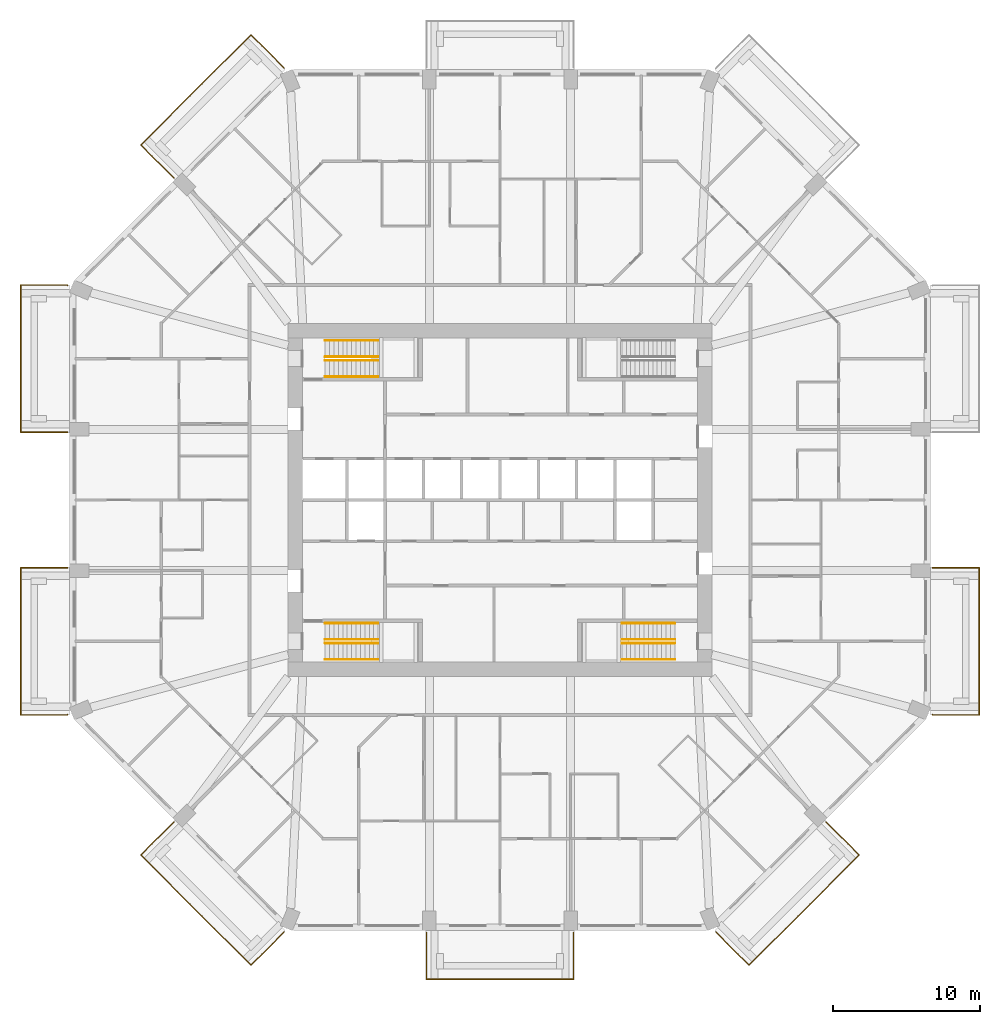
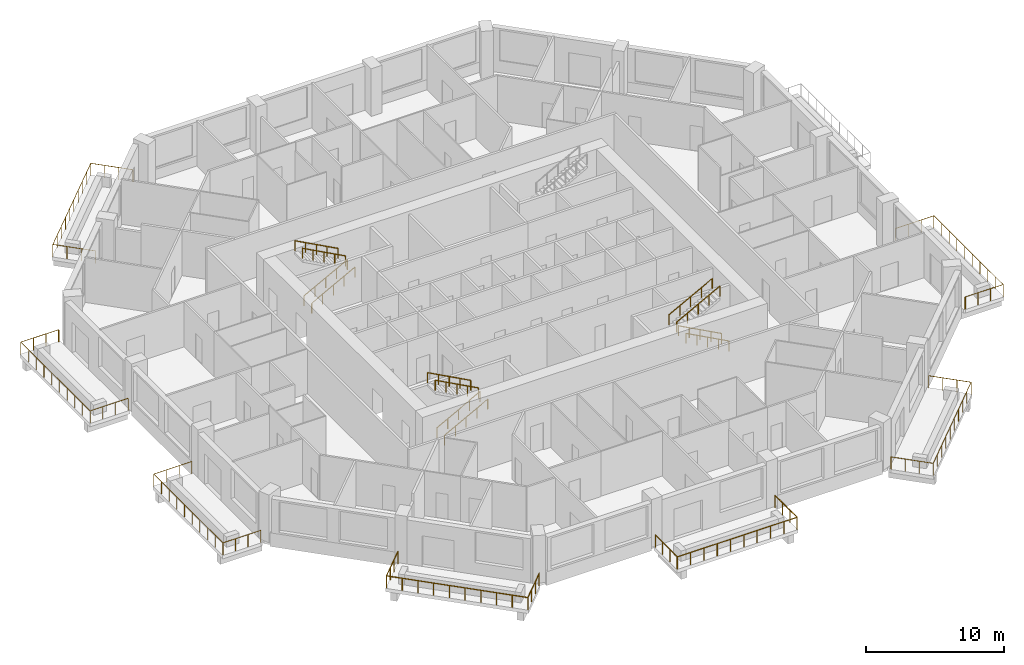
# One storey, part 12 of 13: 19 railings.
"""IFC4 building model written with IfcOpenShell, lengths in metres."""

from ifc_helpers import new_model, si_unit, direction, frame, origin, origin_2d, place, context, subcontext, project, spatial, circle, extrude, material, constituent, constituent_set, type_object, element, save


model = new_model("IFC4")

# Units and contexts
model_context = context("Model", 3, precision=1e-05, world=origin(), true_north=direction((0.0, 1.0)))
body_context = subcontext(model_context, "Body", "Model", "MODEL_VIEW")
ifc_project = project(units=[si_unit("LENGTHUNIT", "METRE"), si_unit("AREAUNIT", "SQUARE_METRE"), si_unit("VOLUMEUNIT", "CUBIC_METRE"), si_unit("PLANEANGLEUNIT", "RADIAN"), si_unit("MASSUNIT", "GRAM", prefix="KILO")], contexts=[model_context])

# Site, building, storey
site_placement = place(None, origin())
site = spatial("IfcSite", under=ifc_project, at=site_placement, CompositionType="ELEMENT")
building_placement = place(site_placement, origin())
building = spatial("IfcBuilding", under=site, at=building_placement, Name="Msitu Wima Residences", CompositionType="ELEMENT")
storey_placement = place(building_placement, frame((0.0, 0.0, 25.5)))
storey = spatial("IfcBuildingStorey", under=building, at=storey_placement, Name="L05", CompositionType="ELEMENT", Elevation=25.5)

# Railings
ifc_material_1 = material(Name="Steel S355", Category="steel")
ifc_constituent_1 = constituent(ifc_material_1, Name="Steel S355")
ifc_material_2 = material(Name="Weathering patina")
ifc_constituent_2 = constituent(ifc_material_2, Name="Weathering patina")
ifc_constituent_set_1 = constituent_set(constituents=[ifc_constituent_1, ifc_constituent_2], Name="Steel S355")
railing_type_1 = type_object("IfcRailingType", Name="Balcony guard GR1100", PredefinedType="GUARDRAIL", material=ifc_constituent_set_1)
railing_1_placement = place(storey_placement, frame((29.3798828125, -4.60009765625, 0.0)))
element("IfcRailing", 1, at=railing_1_placement, inside=storey, type_object=railing_type_1, Name="Balcony guard E0 L05", PredefinedType="GUARDRAIL", context=body_context, shape_type="SweptSolid", body=[
    extrude(circle(Radius=0.02392578125, at=origin_2d()), frame((0.0, 0.0, 1.076171875), z_axis=(1.0, 0.0, 0.0), x_axis=(0.0, 1.0, 0.0)), (0.0, 0.0, 1.0), 3.170166015625),
    extrude(circle(Radius=0.02392578125, at=origin_2d()), frame((3.170166015625, 0.0, 1.076171875), z_axis=(0.0, -1.0, 0.0), x_axis=(1.0, 0.0, 0.0)), (0.0, 0.0, 1.0), 10.0),
    extrude(circle(Radius=0.02392578125, at=origin_2d()), frame((3.170166015625, -10.0, 1.076171875), z_axis=(-1.0, 0.0, 0.0), x_axis=(0.0, -1.0, 0.0)), (0.0, 0.0, 1.0), 3.136474609375),
    extrude(circle(Radius=0.02392578125, at=origin_2d()), frame((0.03369140625, -10.0, 1.076171875), z_axis=(-0.92426142649, 0.38176015442, 0.0), x_axis=(-0.38176015442, -0.92426142649, 0.0)), (0.0, 0.0, 1.0), 0.036376953125),
    extrude(circle(Radius=0.02099609375, at=origin_2d()), origin(), (0.0, 0.0, 1.0), 1.052001953125),
    extrude(circle(Radius=0.02099609375, at=origin_2d()), frame((1.056640625, 0.0, 0.0)), (0.0, 0.0, 1.0), 1.052001953125),
    extrude(circle(Radius=0.02099609375, at=origin_2d()), frame((2.113525390625, 0.0, 0.0)), (0.0, 0.0, 1.0), 1.052001953125),
    extrude(circle(Radius=0.02099609375, at=origin_2d()), frame((3.170166015625, 0.0, 0.0)), (0.0, 0.0, 1.0), 1.052001953125),
    extrude(circle(Radius=0.02099609375, at=origin_2d()), frame((3.170166015625, -1.111083984375, 0.0)), (0.0, 0.0, 1.0), 1.052001953125),
    extrude(circle(Radius=0.02099609375, at=origin_2d()), frame((3.170166015625, -2.22216796875, 0.0)), (0.0, 0.0, 1.0), 1.052001953125),
    extrude(circle(Radius=0.02099609375, at=origin_2d()), frame((3.170166015625, -3.333251953125, 0.0)), (0.0, 0.0, 1.0), 1.052001953125),
    extrude(circle(Radius=0.02099609375, at=origin_2d()), frame((3.170166015625, -4.4443359375, 0.0)), (0.0, 0.0, 1.0), 1.052001953125),
    extrude(circle(Radius=0.02099609375, at=origin_2d()), frame((3.170166015625, -5.5556640625, 0.0)), (0.0, 0.0, 1.0), 1.052001953125),
    extrude(circle(Radius=0.02099609375, at=origin_2d()), frame((3.170166015625, -6.666748046875, 0.0)), (0.0, 0.0, 1.0), 1.052001953125),
    extrude(circle(Radius=0.02099609375, at=origin_2d()), frame((3.170166015625, -7.77783203125, 0.0)), (0.0, 0.0, 1.0), 1.052001953125),
    extrude(circle(Radius=0.02099609375, at=origin_2d()), frame((3.170166015625, -8.888916015625, 0.0)), (0.0, 0.0, 1.0), 1.052001953125),
    extrude(circle(Radius=0.02099609375, at=origin_2d()), frame((3.170166015625, -10.0, 0.0)), (0.0, 0.0, 1.0), 1.052001953125),
    extrude(circle(Radius=0.02099609375, at=origin_2d()), frame((2.124755859375, -10.0, 0.0)), (0.0, 0.0, 1.0), 1.052001953125),
    extrude(circle(Radius=0.02099609375, at=origin_2d()), frame((1.0791015625, -10.0, 0.0)), (0.0, 0.0, 1.0), 1.052001953125),
    extrude(circle(Radius=0.02099609375, at=origin_2d()), frame((0.03369140625, -10.0, 0.0)), (0.0, 0.0, 1.0), 1.052001953125),
    extrude(circle(Radius=0.02099609375, at=origin_2d()), frame((0.0, -9.986083984375, 0.0)), (0.0, 0.0, 1.0), 1.052001953125),
])
railing_2_placement = place(storey_placement, frame((-22.151611328125, 21.86865234375, 0.0)))
element("IfcRailing", 2, at=railing_2_placement, inside=storey, type_object=railing_type_1, Name="Balcony guard NW0 L05", PredefinedType="GUARDRAIL", context=body_context, shape_type="SweptSolid", body=[
    extrude(circle(Radius=0.02392578125, at=origin_2d()), frame((0.0, 0.0, 1.076171875), z_axis=(-0.707068272989, 0.707145287287, 0.0), x_axis=(-0.707145287287, -0.707068272989, 0.0)), (0.0, 0.0, 1.0), 3.170166015625),
    extrude(circle(Radius=0.02392578125, at=origin_2d()), frame((-2.241455078125, 2.24169921875, 1.076171875), z_axis=(0.707118316465, 0.70709524572, 0.0), x_axis=(-0.70709524572, 0.707118316465, 0.0)), (0.0, 0.0, 1.0), 10.582275390625),
    extrude(circle(Radius=0.02392578125, at=origin_2d()), frame((5.241455078125, 9.724365234375, 1.076171875), z_axis=(0.707106781187, -0.707106781187, 0.0), x_axis=(0.707106781187, 0.707106781187, 0.0)), (0.0, 0.0, 1.0), 3.136474609375),
    extrude(circle(Radius=0.02392578125, at=origin_2d()), frame((7.459228515625, 7.506591796875, 1.076171875), z_axis=(0.384136806859, -0.923276184907, 0.0), x_axis=(0.923276184907, 0.384136806859, 0.0)), (0.0, 0.0, 1.0), 0.0361328125),
    extrude(circle(Radius=0.02099609375, at=origin_2d()), origin(), (0.0, 0.0, 1.0), 1.052001953125),
    extrude(circle(Radius=0.02099609375, at=origin_2d()), frame((-0.7470703125, 0.747314453125, 0.0)), (0.0, 0.0, 1.0), 1.052001953125),
    extrude(circle(Radius=0.02099609375, at=origin_2d()), frame((-1.494384765625, 1.494384765625, 0.0)), (0.0, 0.0, 1.0), 1.052001953125),
    extrude(circle(Radius=0.02099609375, at=origin_2d()), frame((-2.241455078125, 2.24169921875, 0.0)), (0.0, 0.0, 1.0), 1.052001953125),
    extrude(circle(Radius=0.02099609375, at=origin_2d()), frame((-1.409912109375, 3.072998046875, 0.0)), (0.0, 0.0, 1.0), 1.052001953125),
    extrude(circle(Radius=0.02099609375, at=origin_2d()), frame((-0.57861328125, 3.904541015625, 0.0)), (0.0, 0.0, 1.0), 1.052001953125),
    extrude(circle(Radius=0.02099609375, at=origin_2d()), frame((0.2529296875, 4.73583984375, 0.0)), (0.0, 0.0, 1.0), 1.052001953125),
    extrude(circle(Radius=0.02099609375, at=origin_2d()), frame((1.084228515625, 5.5673828125, 0.0)), (0.0, 0.0, 1.0), 1.052001953125),
    extrude(circle(Radius=0.02099609375, at=origin_2d()), frame((1.915771484375, 6.398681640625, 0.0)), (0.0, 0.0, 1.0), 1.052001953125),
    extrude(circle(Radius=0.02099609375, at=origin_2d()), frame((2.7470703125, 7.230224609375, 0.0)), (0.0, 0.0, 1.0), 1.052001953125),
    extrude(circle(Radius=0.02099609375, at=origin_2d()), frame((3.57861328125, 8.0615234375, 0.0)), (0.0, 0.0, 1.0), 1.052001953125),
    extrude(circle(Radius=0.02099609375, at=origin_2d()), frame((4.409912109375, 8.89306640625, 0.0)), (0.0, 0.0, 1.0), 1.052001953125),
    extrude(circle(Radius=0.02099609375, at=origin_2d()), frame((5.241455078125, 9.724365234375, 0.0)), (0.0, 0.0, 1.0), 1.052001953125),
    extrude(circle(Radius=0.02099609375, at=origin_2d()), frame((5.980712890625, 8.985107421875, 0.0)), (0.0, 0.0, 1.0), 1.052001953125),
    extrude(circle(Radius=0.02099609375, at=origin_2d()), frame((6.719970703125, 8.245849609375, 0.0)), (0.0, 0.0, 1.0), 1.052001953125),
    extrude(circle(Radius=0.02099609375, at=origin_2d()), frame((7.459228515625, 7.506591796875, 0.0)), (0.0, 0.0, 1.0), 1.052001953125),
    extrude(circle(Radius=0.02099609375, at=origin_2d()), frame((7.47314453125, 7.47314453125, 0.0)), (0.0, 0.0, 1.0), 1.052001953125),
])
railing_3_placement = place(storey_placement, frame((-29.3798828125, 4.60009765625, 0.0)))
element("IfcRailing", 3, at=railing_3_placement, inside=storey, type_object=railing_type_1, Name="Balcony guard W0 L05", PredefinedType="GUARDRAIL", context=body_context, shape_type="SweptSolid", body=[
    extrude(circle(Radius=0.02392578125, at=origin_2d()), frame((0.0, 0.0, 1.076171875), z_axis=(-1.0, 0.0, 0.0), x_axis=(0.0, -1.0, 0.0)), (0.0, 0.0, 1.0), 3.170166015625),
    extrude(circle(Radius=0.02392578125, at=origin_2d()), frame((-3.170166015625, 0.0, 1.076171875), z_axis=(0.0, 1.0, 0.0), x_axis=(-1.0, 0.0, 0.0)), (0.0, 0.0, 1.0), 10.0),
    extrude(circle(Radius=0.02392578125, at=origin_2d()), frame((-3.170166015625, 10.0, 1.076171875), z_axis=(1.0, 0.0, 0.0), x_axis=(0.0, 1.0, 0.0)), (0.0, 0.0, 1.0), 3.136474609375),
    extrude(circle(Radius=0.02392578125, at=origin_2d()), frame((-0.03369140625, 10.0, 1.076171875), z_axis=(0.92426142649, -0.38176015442, 0.0), x_axis=(0.38176015442, 0.92426142649, 0.0)), (0.0, 0.0, 1.0), 0.036376953125),
    extrude(circle(Radius=0.02099609375, at=origin_2d()), origin(), (0.0, 0.0, 1.0), 1.052001953125),
    extrude(circle(Radius=0.02099609375, at=origin_2d()), frame((-1.056640625, 0.0, 0.0)), (0.0, 0.0, 1.0), 1.052001953125),
    extrude(circle(Radius=0.02099609375, at=origin_2d()), frame((-2.113525390625, 0.0, 0.0)), (0.0, 0.0, 1.0), 1.052001953125),
    extrude(circle(Radius=0.02099609375, at=origin_2d()), frame((-3.170166015625, 0.0, 0.0)), (0.0, 0.0, 1.0), 1.052001953125),
    extrude(circle(Radius=0.02099609375, at=origin_2d()), frame((-3.170166015625, 1.111083984375, 0.0)), (0.0, 0.0, 1.0), 1.052001953125),
    extrude(circle(Radius=0.02099609375, at=origin_2d()), frame((-3.170166015625, 2.22216796875, 0.0)), (0.0, 0.0, 1.0), 1.052001953125),
    extrude(circle(Radius=0.02099609375, at=origin_2d()), frame((-3.170166015625, 3.333251953125, 0.0)), (0.0, 0.0, 1.0), 1.052001953125),
    extrude(circle(Radius=0.02099609375, at=origin_2d()), frame((-3.170166015625, 4.4443359375, 0.0)), (0.0, 0.0, 1.0), 1.052001953125),
    extrude(circle(Radius=0.02099609375, at=origin_2d()), frame((-3.170166015625, 5.5556640625, 0.0)), (0.0, 0.0, 1.0), 1.052001953125),
    extrude(circle(Radius=0.02099609375, at=origin_2d()), frame((-3.170166015625, 6.666748046875, 0.0)), (0.0, 0.0, 1.0), 1.052001953125),
    extrude(circle(Radius=0.02099609375, at=origin_2d()), frame((-3.170166015625, 7.77783203125, 0.0)), (0.0, 0.0, 1.0), 1.052001953125),
    extrude(circle(Radius=0.02099609375, at=origin_2d()), frame((-3.170166015625, 8.888916015625, 0.0)), (0.0, 0.0, 1.0), 1.052001953125),
    extrude(circle(Radius=0.02099609375, at=origin_2d()), frame((-3.170166015625, 10.0, 0.0)), (0.0, 0.0, 1.0), 1.052001953125),
    extrude(circle(Radius=0.02099609375, at=origin_2d()), frame((-2.124755859375, 10.0, 0.0)), (0.0, 0.0, 1.0), 1.052001953125),
    extrude(circle(Radius=0.02099609375, at=origin_2d()), frame((-1.0791015625, 10.0, 0.0)), (0.0, 0.0, 1.0), 1.052001953125),
    extrude(circle(Radius=0.02099609375, at=origin_2d()), frame((-0.03369140625, 10.0, 0.0)), (0.0, 0.0, 1.0), 1.052001953125),
    extrude(circle(Radius=0.02099609375, at=origin_2d()), frame((0.0, 9.986083984375, 0.0)), (0.0, 0.0, 1.0), 1.052001953125),
])
railing_4_placement = place(storey_placement, frame((-29.3798828125, -14.586181640625, 0.0)))
element("IfcRailing", 4, at=railing_4_placement, inside=storey, type_object=railing_type_1, Name="Balcony guard W2 L05", PredefinedType="GUARDRAIL", context=body_context, shape_type="SweptSolid", body=[
    extrude(circle(Radius=0.02392578125, at=origin_2d()), frame((0.0, 0.0, 1.076171875), z_axis=(-0.92426142649, -0.38176015442, 0.0), x_axis=(0.38176015442, -0.92426142649, 0.0)), (0.0, 0.0, 1.0), 0.036376953125),
    extrude(circle(Radius=0.02392578125, at=origin_2d()), frame((-0.03369140625, -0.013916015625, 1.076171875), z_axis=(-1.0, 0.0, 0.0), x_axis=(0.0, -1.0, 0.0)), (0.0, 0.0, 1.0), 3.136474609375),
    extrude(circle(Radius=0.02392578125, at=origin_2d()), frame((-3.170166015625, -0.013916015625, 1.076171875), z_axis=(0.0, 1.0, 0.0), x_axis=(-1.0, 0.0, 0.0)), (0.0, 0.0, 1.0), 10.0),
    extrude(circle(Radius=0.02392578125, at=origin_2d()), frame((-3.170166015625, 9.986083984375, 1.076171875), z_axis=(1.0, 0.0, 0.0), x_axis=(0.0, 1.0, 0.0)), (0.0, 0.0, 1.0), 3.170166015625),
    extrude(circle(Radius=0.02099609375, at=origin_2d()), origin(), (0.0, 0.0, 1.0), 1.052001953125),
    extrude(circle(Radius=0.02099609375, at=origin_2d()), frame((-0.03369140625, -0.013916015625, 0.0)), (0.0, 0.0, 1.0), 1.052001953125),
    extrude(circle(Radius=0.02099609375, at=origin_2d()), frame((-1.0791015625, -0.013916015625, 0.0)), (0.0, 0.0, 1.0), 1.052001953125),
    extrude(circle(Radius=0.02099609375, at=origin_2d()), frame((-2.124755859375, -0.013916015625, 0.0)), (0.0, 0.0, 1.0), 1.052001953125),
    extrude(circle(Radius=0.02099609375, at=origin_2d()), frame((-3.170166015625, -0.013916015625, 0.0)), (0.0, 0.0, 1.0), 1.052001953125),
    extrude(circle(Radius=0.02099609375, at=origin_2d()), frame((-3.170166015625, 1.09716796875, 0.0)), (0.0, 0.0, 1.0), 1.052001953125),
    extrude(circle(Radius=0.02099609375, at=origin_2d()), frame((-3.170166015625, 2.208251953125, 0.0)), (0.0, 0.0, 1.0), 1.052001953125),
    extrude(circle(Radius=0.02099609375, at=origin_2d()), frame((-3.170166015625, 3.3193359375, 0.0)), (0.0, 0.0, 1.0), 1.052001953125),
    extrude(circle(Radius=0.02099609375, at=origin_2d()), frame((-3.170166015625, 4.430419921875, 0.0)), (0.0, 0.0, 1.0), 1.052001953125),
    extrude(circle(Radius=0.02099609375, at=origin_2d()), frame((-3.170166015625, 5.541748046875, 0.0)), (0.0, 0.0, 1.0), 1.052001953125),
    extrude(circle(Radius=0.02099609375, at=origin_2d()), frame((-3.170166015625, 6.65283203125, 0.0)), (0.0, 0.0, 1.0), 1.052001953125),
    extrude(circle(Radius=0.02099609375, at=origin_2d()), frame((-3.170166015625, 7.763916015625, 0.0)), (0.0, 0.0, 1.0), 1.052001953125),
    extrude(circle(Radius=0.02099609375, at=origin_2d()), frame((-3.170166015625, 8.875, 0.0)), (0.0, 0.0, 1.0), 1.052001953125),
    extrude(circle(Radius=0.02099609375, at=origin_2d()), frame((-3.170166015625, 9.986083984375, 0.0)), (0.0, 0.0, 1.0), 1.052001953125),
    extrude(circle(Radius=0.02099609375, at=origin_2d()), frame((-2.113525390625, 9.986083984375, 0.0)), (0.0, 0.0, 1.0), 1.052001953125),
    extrude(circle(Radius=0.02099609375, at=origin_2d()), frame((-1.056640625, 9.986083984375, 0.0)), (0.0, 0.0, 1.0), 1.052001953125),
    extrude(circle(Radius=0.02099609375, at=origin_2d()), frame((0.0, 9.986083984375, 0.0)), (0.0, 0.0, 1.0), 1.052001953125),
])
railing_5_placement = place(storey_placement, frame((-14.678466796875, -29.341796875, 0.0)))
element("IfcRailing", 5, at=railing_5_placement, inside=storey, type_object=railing_type_1, Name="Balcony guard SW1 L05", PredefinedType="GUARDRAIL", context=body_context, shape_type="SweptSolid", body=[
    extrude(circle(Radius=0.02392578125, at=origin_2d()), frame((0.0, 0.0, 1.076171875), z_axis=(-0.384136806859, -0.923276184907, 0.0), x_axis=(0.923276184907, -0.384136806859, 0.0)), (0.0, 0.0, 1.0), 0.0361328125),
    extrude(circle(Radius=0.02392578125, at=origin_2d()), frame((-0.013916015625, -0.033447265625, 1.076171875), z_axis=(-0.707106781187, -0.707106781187, 0.0), x_axis=(0.707106781187, -0.707106781187, 0.0)), (0.0, 0.0, 1.0), 3.136474609375),
    extrude(circle(Radius=0.02392578125, at=origin_2d()), frame((-2.231689453125, -2.251220703125, 1.076171875), z_axis=(-0.707118316465, 0.70709524572, 0.0), x_axis=(-0.70709524572, -0.707118316465, 0.0)), (0.0, 0.0, 1.0), 10.582275390625),
    extrude(circle(Radius=0.02392578125, at=origin_2d()), frame((-9.714599609375, 5.2314453125, 1.076171875), z_axis=(0.707068272989, 0.707145287287, 0.0), x_axis=(-0.707145287287, 0.707068272989, 0.0)), (0.0, 0.0, 1.0), 3.170166015625),
    extrude(circle(Radius=0.02099609375, at=origin_2d()), origin(), (0.0, 0.0, 1.0), 1.052001953125),
    extrude(circle(Radius=0.02099609375, at=origin_2d()), frame((-0.013916015625, -0.033447265625, 0.0)), (0.0, 0.0, 1.0), 1.052001953125),
    extrude(circle(Radius=0.02099609375, at=origin_2d()), frame((-0.753173828125, -0.772705078125, 0.0)), (0.0, 0.0, 1.0), 1.052001953125),
    extrude(circle(Radius=0.02099609375, at=origin_2d()), frame((-1.492431640625, -1.511962890625, 0.0)), (0.0, 0.0, 1.0), 1.052001953125),
    extrude(circle(Radius=0.02099609375, at=origin_2d()), frame((-2.231689453125, -2.251220703125, 0.0)), (0.0, 0.0, 1.0), 1.052001953125),
    extrude(circle(Radius=0.02099609375, at=origin_2d()), frame((-3.063232421875, -1.419921875, 0.0)), (0.0, 0.0, 1.0), 1.052001953125),
    extrude(circle(Radius=0.02099609375, at=origin_2d()), frame((-3.89453125, -0.58837890625, 0.0)), (0.0, 0.0, 1.0), 1.052001953125),
    extrude(circle(Radius=0.02099609375, at=origin_2d()), frame((-4.72607421875, 0.242919921875, 0.0)), (0.0, 0.0, 1.0), 1.052001953125),
    extrude(circle(Radius=0.02099609375, at=origin_2d()), frame((-5.557373046875, 1.074462890625, 0.0)), (0.0, 0.0, 1.0), 1.052001953125),
    extrude(circle(Radius=0.02099609375, at=origin_2d()), frame((-6.388916015625, 1.90576171875, 0.0)), (0.0, 0.0, 1.0), 1.052001953125),
    extrude(circle(Radius=0.02099609375, at=origin_2d()), frame((-7.22021484375, 2.7373046875, 0.0)), (0.0, 0.0, 1.0), 1.052001953125),
    extrude(circle(Radius=0.02099609375, at=origin_2d()), frame((-8.0517578125, 3.568603515625, 0.0)), (0.0, 0.0, 1.0), 1.052001953125),
    extrude(circle(Radius=0.02099609375, at=origin_2d()), frame((-8.883056640625, 4.400146484375, 0.0)), (0.0, 0.0, 1.0), 1.052001953125),
    extrude(circle(Radius=0.02099609375, at=origin_2d()), frame((-9.714599609375, 5.2314453125, 0.0)), (0.0, 0.0, 1.0), 1.052001953125),
    extrude(circle(Radius=0.02099609375, at=origin_2d()), frame((-8.967529296875, 5.978759765625, 0.0)), (0.0, 0.0, 1.0), 1.052001953125),
    extrude(circle(Radius=0.02099609375, at=origin_2d()), frame((-8.22021484375, 6.725830078125, 0.0)), (0.0, 0.0, 1.0), 1.052001953125),
    extrude(circle(Radius=0.02099609375, at=origin_2d()), frame((-7.47314453125, 7.47314453125, 0.0)), (0.0, 0.0, 1.0), 1.052001953125),
])
railing_6_placement = place(storey_placement, frame((5.0, -29.3798828125, 0.0)))
element("IfcRailing", 6, at=railing_6_placement, inside=storey, type_object=railing_type_1, Name="Balcony guard S1 L05", PredefinedType="GUARDRAIL", context=body_context, shape_type="SweptSolid", body=[
    extrude(circle(Radius=0.02392578125, at=origin_2d()), frame((0.0, 0.0, 1.076171875), z_axis=(0.0, -1.0, 0.0), x_axis=(1.0, 0.0, 0.0)), (0.0, 0.0, 1.0), 3.170166015625),
    extrude(circle(Radius=0.02392578125, at=origin_2d()), frame((0.0, -3.170166015625, 1.076171875), z_axis=(-1.0, 0.0, 0.0), x_axis=(0.0, -1.0, 0.0)), (0.0, 0.0, 1.0), 10.0),
    extrude(circle(Radius=0.02392578125, at=origin_2d()), frame((-10.0, -3.170166015625, 1.076171875), z_axis=(0.0, 1.0, 0.0), x_axis=(-1.0, 0.0, 0.0)), (0.0, 0.0, 1.0), 3.170166015625),
    extrude(circle(Radius=0.02099609375, at=origin_2d()), origin(), (0.0, 0.0, 1.0), 1.052001953125),
    extrude(circle(Radius=0.02099609375, at=origin_2d()), frame((0.0, -1.056640625, 0.0)), (0.0, 0.0, 1.0), 1.052001953125),
    extrude(circle(Radius=0.02099609375, at=origin_2d()), frame((0.0, -2.113525390625, 0.0)), (0.0, 0.0, 1.0), 1.052001953125),
    extrude(circle(Radius=0.02099609375, at=origin_2d()), frame((0.0, -3.170166015625, 0.0)), (0.0, 0.0, 1.0), 1.052001953125),
    extrude(circle(Radius=0.02099609375, at=origin_2d()), frame((-1.111083984375, -3.170166015625, 0.0)), (0.0, 0.0, 1.0), 1.052001953125),
    extrude(circle(Radius=0.02099609375, at=origin_2d()), frame((-2.22216796875, -3.170166015625, 0.0)), (0.0, 0.0, 1.0), 1.052001953125),
    extrude(circle(Radius=0.02099609375, at=origin_2d()), frame((-3.333251953125, -3.170166015625, 0.0)), (0.0, 0.0, 1.0), 1.052001953125),
    extrude(circle(Radius=0.02099609375, at=origin_2d()), frame((-4.4443359375, -3.170166015625, 0.0)), (0.0, 0.0, 1.0), 1.052001953125),
    extrude(circle(Radius=0.02099609375, at=origin_2d()), frame((-5.5556640625, -3.170166015625, 0.0)), (0.0, 0.0, 1.0), 1.052001953125),
    extrude(circle(Radius=0.02099609375, at=origin_2d()), frame((-6.666748046875, -3.170166015625, 0.0)), (0.0, 0.0, 1.0), 1.052001953125),
    extrude(circle(Radius=0.02099609375, at=origin_2d()), frame((-7.77783203125, -3.170166015625, 0.0)), (0.0, 0.0, 1.0), 1.052001953125),
    extrude(circle(Radius=0.02099609375, at=origin_2d()), frame((-8.888916015625, -3.170166015625, 0.0)), (0.0, 0.0, 1.0), 1.052001953125),
    extrude(circle(Radius=0.02099609375, at=origin_2d()), frame((-10.0, -3.170166015625, 0.0)), (0.0, 0.0, 1.0), 1.052001953125),
    extrude(circle(Radius=0.02099609375, at=origin_2d()), frame((-10.0, -2.113525390625, 0.0)), (0.0, 0.0, 1.0), 1.052001953125),
    extrude(circle(Radius=0.02099609375, at=origin_2d()), frame((-10.0, -1.056640625, 0.0)), (0.0, 0.0, 1.0), 1.052001953125),
    extrude(circle(Radius=0.02099609375, at=origin_2d()), frame((-10.0, 0.0, 0.0)), (0.0, 0.0, 1.0), 1.052001953125),
])
railing_7_placement = place(storey_placement, frame((22.151611328125, -21.86865234375, 0.0)))
element("IfcRailing", 7, at=railing_7_placement, inside=storey, type_object=railing_type_1, Name="Balcony guard SE0 L05", PredefinedType="GUARDRAIL", context=body_context, shape_type="SweptSolid", body=[
    extrude(circle(Radius=0.02392578125, at=origin_2d()), frame((0.0, 0.0, 1.076171875), z_axis=(0.707068272989, -0.707145287287, 0.0), x_axis=(0.707145287287, 0.707068272989, 0.0)), (0.0, 0.0, 1.0), 3.170166015625),
    extrude(circle(Radius=0.02392578125, at=origin_2d()), frame((2.241455078125, -2.24169921875, 1.076171875), z_axis=(-0.707118316465, -0.70709524572, 0.0), x_axis=(0.70709524572, -0.707118316465, 0.0)), (0.0, 0.0, 1.0), 10.582275390625),
    extrude(circle(Radius=0.02392578125, at=origin_2d()), frame((-5.241455078125, -9.724365234375, 1.076171875), z_axis=(-0.707106781187, 0.707106781187, 0.0), x_axis=(-0.707106781187, -0.707106781187, 0.0)), (0.0, 0.0, 1.0), 3.136474609375),
    extrude(circle(Radius=0.02392578125, at=origin_2d()), frame((-7.459228515625, -7.506591796875, 1.076171875), z_axis=(-0.384136806859, 0.923276184907, 0.0), x_axis=(-0.923276184907, -0.384136806859, 0.0)), (0.0, 0.0, 1.0), 0.0361328125),
    extrude(circle(Radius=0.02099609375, at=origin_2d()), origin(), (0.0, 0.0, 1.0), 1.052001953125),
    extrude(circle(Radius=0.02099609375, at=origin_2d()), frame((0.7470703125, -0.747314453125, 0.0)), (0.0, 0.0, 1.0), 1.052001953125),
    extrude(circle(Radius=0.02099609375, at=origin_2d()), frame((1.494384765625, -1.494384765625, 0.0)), (0.0, 0.0, 1.0), 1.052001953125),
    extrude(circle(Radius=0.02099609375, at=origin_2d()), frame((2.241455078125, -2.24169921875, 0.0)), (0.0, 0.0, 1.0), 1.052001953125),
    extrude(circle(Radius=0.02099609375, at=origin_2d()), frame((1.409912109375, -3.072998046875, 0.0)), (0.0, 0.0, 1.0), 1.052001953125),
    extrude(circle(Radius=0.02099609375, at=origin_2d()), frame((0.57861328125, -3.904541015625, 0.0)), (0.0, 0.0, 1.0), 1.052001953125),
    extrude(circle(Radius=0.02099609375, at=origin_2d()), frame((-0.2529296875, -4.73583984375, 0.0)), (0.0, 0.0, 1.0), 1.052001953125),
    extrude(circle(Radius=0.02099609375, at=origin_2d()), frame((-1.084228515625, -5.5673828125, 0.0)), (0.0, 0.0, 1.0), 1.052001953125),
    extrude(circle(Radius=0.02099609375, at=origin_2d()), frame((-1.915771484375, -6.398681640625, 0.0)), (0.0, 0.0, 1.0), 1.052001953125),
    extrude(circle(Radius=0.02099609375, at=origin_2d()), frame((-2.7470703125, -7.230224609375, 0.0)), (0.0, 0.0, 1.0), 1.052001953125),
    extrude(circle(Radius=0.02099609375, at=origin_2d()), frame((-3.57861328125, -8.0615234375, 0.0)), (0.0, 0.0, 1.0), 1.052001953125),
    extrude(circle(Radius=0.02099609375, at=origin_2d()), frame((-4.409912109375, -8.89306640625, 0.0)), (0.0, 0.0, 1.0), 1.052001953125),
    extrude(circle(Radius=0.02099609375, at=origin_2d()), frame((-5.241455078125, -9.724365234375, 0.0)), (0.0, 0.0, 1.0), 1.052001953125),
    extrude(circle(Radius=0.02099609375, at=origin_2d()), frame((-5.980712890625, -8.985107421875, 0.0)), (0.0, 0.0, 1.0), 1.052001953125),
    extrude(circle(Radius=0.02099609375, at=origin_2d()), frame((-6.719970703125, -8.245849609375, 0.0)), (0.0, 0.0, 1.0), 1.052001953125),
    extrude(circle(Radius=0.02099609375, at=origin_2d()), frame((-7.459228515625, -7.506591796875, 0.0)), (0.0, 0.0, 1.0), 1.052001953125),
    extrude(circle(Radius=0.02099609375, at=origin_2d()), frame((-7.47314453125, -7.47314453125, 0.0)), (0.0, 0.0, 1.0), 1.052001953125),
])
ifc_constituent_3 = constituent(ifc_material_1, Name="Steel S355")
ifc_material_3 = material(Name="Black powder coating")
ifc_constituent_4 = constituent(ifc_material_3, Name="Black powder coating")
ifc_constituent_set_2 = constituent_set(constituents=[ifc_constituent_3, ifc_constituent_4], Name="Steel S355")
railing_type_2 = type_object("IfcRailingType", Name="Stair handrail HR1", PredefinedType="HANDRAIL", material=ifc_constituent_set_2)
for number, where, name in (
    (8, (-11.875, 8.375, 0.16162109375), "Stair 1 handrail"),
    (9, (-11.875, 9.47509765625, 0.16162109375), "Stair 1 handrail"),
):
    element("IfcRailing", number, at=place(storey_placement, frame(where)), inside=storey, type_object=railing_type_2, Name=name, PredefinedType="HANDRAIL", context=body_context, shape_type="SweptSolid", body=[
        extrude(circle(Radius=0.02392578125, at=origin_2d()), frame((0.0, 0.0, 0.8759765625), z_axis=(0.880474934443, 0.0, 0.474092701714), x_axis=(0.0, 1.0, 0.0)), (0.0, 0.0, 1.0), 4.0888671875),
        extrude(circle(Radius=0.02099609375, at=origin_2d()), origin(), (0.0, 0.0, 1.0), 0.851806640625),
        extrude(circle(Radius=0.02099609375, at=origin_2d()), frame((0.89990234375, 0.0, 0.484619140625)), (0.0, 0.0, 1.0), 0.851806640625),
        extrude(circle(Radius=0.02099609375, at=origin_2d()), frame((1.800048828125, 0.0, 0.96923828125)), (0.0, 0.0, 1.0), 0.851806640625),
        extrude(circle(Radius=0.02099609375, at=origin_2d()), frame((2.7001953125, 0.0, 1.453857421875)), (0.0, 0.0, 1.0), 0.851806640625),
        extrude(circle(Radius=0.02099609375, at=origin_2d()), frame((3.60009765625, 0.0, 1.9384765625)), (0.0, 0.0, 1.0), 0.851806640625),
    ])
for number, where, name in (
    (10, (-8.27490234375, 9.72509765625, 2.261474609375), "Stair 1 handrail"),
    (11, (-8.27490234375, 10.824951171875, 2.261474609375), "Stair 1 handrail"),
):
    element("IfcRailing", number, at=place(storey_placement, frame(where)), inside=storey, type_object=railing_type_2, Name=name, PredefinedType="HANDRAIL", context=body_context, shape_type="SweptSolid", body=[
        extrude(circle(Radius=0.02392578125, at=origin_2d()), frame((0.0, 0.0, 0.8759765625), z_axis=(-0.880474934443, 0.0, 0.474092701714), x_axis=(0.0, -1.0, 0.0)), (0.0, 0.0, 1.0), 4.0888671875),
        extrude(circle(Radius=0.02099609375, at=origin_2d()), origin(), (0.0, 0.0, 1.0), 0.851806640625),
        extrude(circle(Radius=0.02099609375, at=origin_2d()), frame((-0.89990234375, 0.0, 0.484619140625)), (0.0, 0.0, 1.0), 0.851806640625),
        extrude(circle(Radius=0.02099609375, at=origin_2d()), frame((-1.800048828125, 0.0, 0.96923828125)), (0.0, 0.0, 1.0), 0.851806640625),
        extrude(circle(Radius=0.02099609375, at=origin_2d()), frame((-2.7001953125, 0.0, 1.453857421875)), (0.0, 0.0, 1.0), 0.851806640625),
        extrude(circle(Radius=0.02099609375, at=origin_2d()), frame((-3.60009765625, 0.0, 1.9384765625)), (0.0, 0.0, 1.0), 0.851806640625),
    ])
for number, where, name in (
    (12, (-11.875, -10.824951171875, 0.16162109375), "Stair 2 handrail"),
    (13, (-11.875, -9.72509765625, 0.16162109375), "Stair 2 handrail"),
):
    element("IfcRailing", number, at=place(storey_placement, frame(where)), inside=storey, type_object=railing_type_2, Name=name, PredefinedType="HANDRAIL", context=body_context, shape_type="SweptSolid", body=[
        extrude(circle(Radius=0.02392578125, at=origin_2d()), frame((0.0, 0.0, 0.8759765625), z_axis=(0.880474934443, 0.0, 0.474092701714), x_axis=(0.0, 1.0, 0.0)), (0.0, 0.0, 1.0), 4.0888671875),
        extrude(circle(Radius=0.02099609375, at=origin_2d()), origin(), (0.0, 0.0, 1.0), 0.851806640625),
        extrude(circle(Radius=0.02099609375, at=origin_2d()), frame((0.89990234375, 0.0, 0.484619140625)), (0.0, 0.0, 1.0), 0.851806640625),
        extrude(circle(Radius=0.02099609375, at=origin_2d()), frame((1.800048828125, 0.0, 0.96923828125)), (0.0, 0.0, 1.0), 0.851806640625),
        extrude(circle(Radius=0.02099609375, at=origin_2d()), frame((2.7001953125, 0.0, 1.453857421875)), (0.0, 0.0, 1.0), 0.851806640625),
        extrude(circle(Radius=0.02099609375, at=origin_2d()), frame((3.60009765625, 0.0, 1.9384765625)), (0.0, 0.0, 1.0), 0.851806640625),
    ])
for number, where, name in (
    (14, (-8.27490234375, -9.47509765625, 2.261474609375), "Stair 2 handrail"),
    (15, (-8.27490234375, -8.375, 2.261474609375), "Stair 2 handrail"),
    (16, (11.875, -10.824951171875, 0.16162109375), "Stair 4 handrail"),
    (17, (11.875, -9.72509765625, 0.16162109375), "Stair 4 handrail"),
):
    element("IfcRailing", number, at=place(storey_placement, frame(where)), inside=storey, type_object=railing_type_2, Name=name, PredefinedType="HANDRAIL", context=body_context, shape_type="SweptSolid", body=[
        extrude(circle(Radius=0.02392578125, at=origin_2d()), frame((0.0, 0.0, 0.8759765625), z_axis=(-0.880474934443, 0.0, 0.474092701714), x_axis=(0.0, -1.0, 0.0)), (0.0, 0.0, 1.0), 4.0888671875),
        extrude(circle(Radius=0.02099609375, at=origin_2d()), origin(), (0.0, 0.0, 1.0), 0.851806640625),
        extrude(circle(Radius=0.02099609375, at=origin_2d()), frame((-0.89990234375, 0.0, 0.484619140625)), (0.0, 0.0, 1.0), 0.851806640625),
        extrude(circle(Radius=0.02099609375, at=origin_2d()), frame((-1.800048828125, 0.0, 0.96923828125)), (0.0, 0.0, 1.0), 0.851806640625),
        extrude(circle(Radius=0.02099609375, at=origin_2d()), frame((-2.7001953125, 0.0, 1.453857421875)), (0.0, 0.0, 1.0), 0.851806640625),
        extrude(circle(Radius=0.02099609375, at=origin_2d()), frame((-3.60009765625, 0.0, 1.9384765625)), (0.0, 0.0, 1.0), 0.851806640625),
    ])
for number, where, name in (
    (18, (8.27490234375, -9.47509765625, 2.261474609375), "Stair 4 handrail"),
    (19, (8.27490234375, -8.375, 2.261474609375), "Stair 4 handrail"),
):
    element("IfcRailing", number, at=place(storey_placement, frame(where)), inside=storey, type_object=railing_type_2, Name=name, PredefinedType="HANDRAIL", context=body_context, shape_type="SweptSolid", body=[
        extrude(circle(Radius=0.02392578125, at=origin_2d()), frame((0.0, 0.0, 0.8759765625), z_axis=(0.880474934443, 0.0, 0.474092701714), x_axis=(0.0, 1.0, 0.0)), (0.0, 0.0, 1.0), 4.0888671875),
        extrude(circle(Radius=0.02099609375, at=origin_2d()), origin(), (0.0, 0.0, 1.0), 0.851806640625),
        extrude(circle(Radius=0.02099609375, at=origin_2d()), frame((0.89990234375, 0.0, 0.484619140625)), (0.0, 0.0, 1.0), 0.851806640625),
        extrude(circle(Radius=0.02099609375, at=origin_2d()), frame((1.800048828125, 0.0, 0.96923828125)), (0.0, 0.0, 1.0), 0.851806640625),
        extrude(circle(Radius=0.02099609375, at=origin_2d()), frame((2.7001953125, 0.0, 1.453857421875)), (0.0, 0.0, 1.0), 0.851806640625),
        extrude(circle(Radius=0.02099609375, at=origin_2d()), frame((3.60009765625, 0.0, 1.9384765625)), (0.0, 0.0, 1.0), 0.851806640625),
    ])

save(model, "model.ifc")
